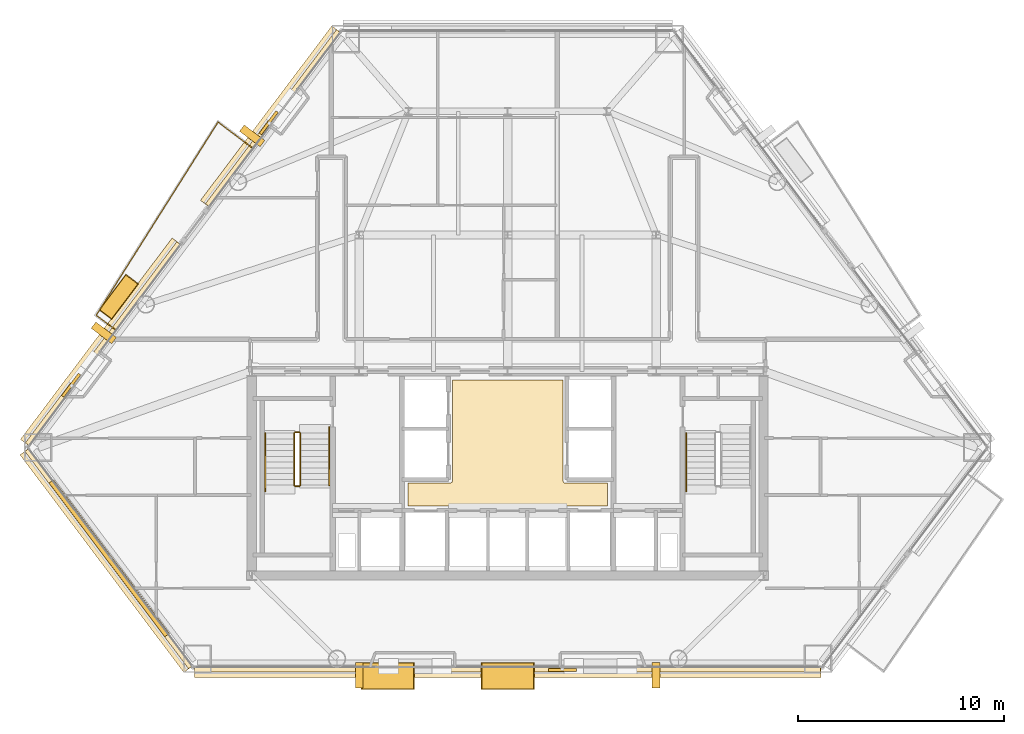
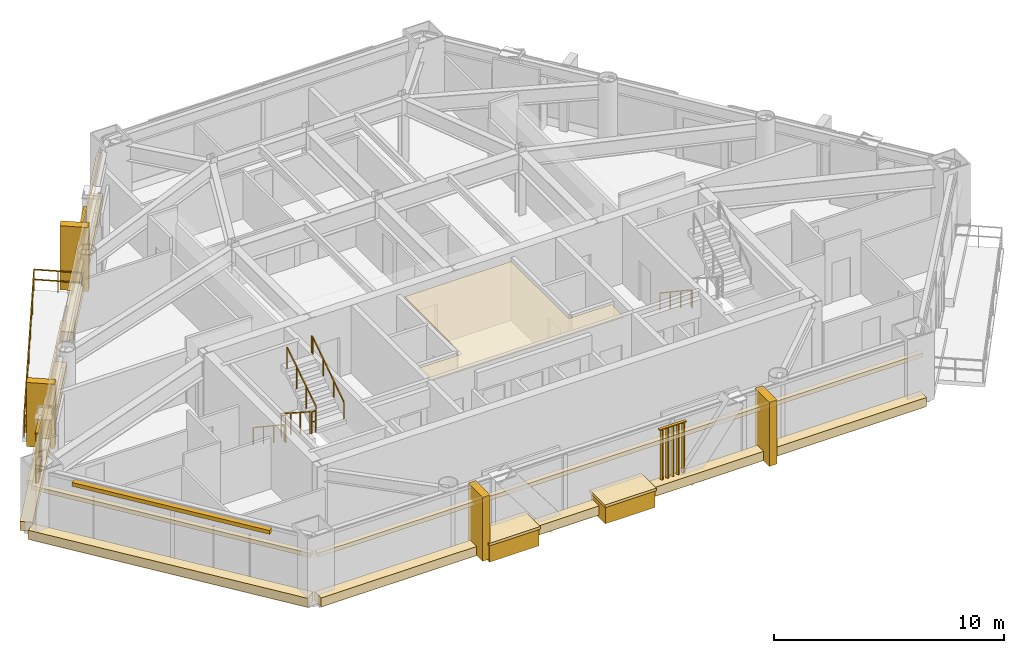
# One storey, part 10 of 11: 19 coverings, 8 railings, 4 shading devices.
"""IFC4 building model written with IfcOpenShell, lengths in metres."""

import ifcopenshell
import ifcopenshell.guid

model = None  # the IFC model being written
_history = None  # IfcOwnerHistory: only IFC2X3 demands one
_inside = {}  # id of a spatial element -> (the spatial element, [elements in it])
_under = {}  # id of a project, library or spatial element -> (it, [spatial elements below it])
_declared = {}  # id of a project -> (the project, [libraries it declares])
_typed = {}  # id of a type object -> (the type object, [elements of that type])
_made_of = {}  # id of a material, layer set ... -> (it, [elements and type objects made of it])


def new_model(schema):
    """Start an empty IFC model of exactly this schema.

    Asked for "IFC4X3", IfcOpenShell would pick the latest addendum, in which some entities
    have other attributes; the version numbers below select the first issue.
    IFC2X3 requires an IfcOwnerHistory on every rooted entity: one is made here for all.
    """
    global model, _history
    if schema == "IFC4X3":
        model = ifcopenshell.file(schema_version=(4, 3, 0, 0))
    else:
        model = ifcopenshell.file(schema=schema)
    _inside.clear()
    _under.clear()
    _declared.clear()
    _typed.clear()
    _made_of.clear()
    _history = None
    if model.schema == "IFC2X3":
        org = make("IfcOrganization", Name="unknown")
        user = make(
            "IfcPersonAndOrganization",
            ThePerson=make("IfcPerson", FamilyName="unknown"),
            TheOrganization=org,
        )
        app = make(
            "IfcApplication",
            ApplicationDeveloper=org,
            Version="unknown",
            ApplicationFullName="unknown",
            ApplicationIdentifier="unknown",
        )
        _history = make(
            "IfcOwnerHistory",
            OwningUser=user,
            OwningApplication=app,
            ChangeAction="ADDED",
            CreationDate=0,
        )
    return model


def make(cls, **values):
    """One entity of the class cls with the attributes given. An attribute that is None is left unset."""
    return model.create_entity(
        cls, **{name: value for name, value in values.items() if value is not None}
    )


def rooted(cls, **values):
    """An entity with a GlobalId (a new one), such as an element, a storey or a relation."""
    return make(cls, GlobalId=ifcopenshell.guid.new(), OwnerHistory=_history, **values)


def si_unit(unit_type, name, prefix=None):
    """IfcSIUnit, for example si_unit("LENGTHUNIT", "METRE", prefix="MILLI")."""
    return make("IfcSIUnit", UnitType=unit_type, Prefix=prefix, Name=name)


def assignment(units):
    """IfcUnitAssignment: the units of a project."""
    return None if units is None else make("IfcUnitAssignment", Units=units)


def point(xyz):
    """IfcCartesianPoint."""
    return None if xyz is None else make("IfcCartesianPoint", Coordinates=xyz)


def direction(xyz):
    """IfcDirection."""
    return None if xyz is None else make("IfcDirection", DirectionRatios=xyz)


def frame(location, z_axis=None, x_axis=None):
    """IfcAxis2Placement3D, a coordinate frame: its origin and axes. An axis left out is left unset."""
    return make(
        "IfcAxis2Placement3D",
        Location=point(location),
        Axis=direction(z_axis),
        RefDirection=direction(x_axis),
    )


def frame_2d(location, x_axis=None):
    """IfcAxis2Placement2D, a coordinate frame in the plane: its origin and x axis."""
    return make(
        "IfcAxis2Placement2D", Location=point(location), RefDirection=direction(x_axis)
    )


def origin():
    """The frame at (0, 0, 0) with its axes left unset."""
    return frame((0.0, 0.0, 0.0))


def origin_2d():
    """The frame at (0, 0) in the plane with its x axis left unset."""
    return frame_2d((0.0, 0.0))


def place(relative_to, where):
    """IfcLocalPlacement: puts the frame where relative to a parent placement (None: the world)."""
    return make(
        "IfcLocalPlacement", PlacementRelTo=relative_to, RelativePlacement=where
    )


def context(
    kind, dimensions, precision=None, world=None, true_north=None, identifier=None
):
    """IfcGeometricRepresentationContext, for example the 3D "Model" context."""
    return make(
        "IfcGeometricRepresentationContext",
        ContextIdentifier=identifier,
        ContextType=kind,
        CoordinateSpaceDimension=dimensions,
        Precision=precision,
        WorldCoordinateSystem=world,
        TrueNorth=true_north,
    )


def subcontext(parent, identifier, kind, view, scale=None):
    """IfcGeometricRepresentationSubContext, for example "Body" below "Model"."""
    return make(
        "IfcGeometricRepresentationSubContext",
        ContextIdentifier=identifier,
        ContextType=kind,
        ParentContext=parent,
        TargetScale=scale,
        TargetView=view,
    )


def project(units=None, contexts=None):
    """IfcProject with its units and contexts."""
    return rooted(
        "IfcProject",
        Name="project",
        RepresentationContexts=contexts,
        UnitsInContext=assignment(units),
    )


def spatial(cls, under=None, at=None, **own):
    """A site, building, storey or space (cls), placed at a placement, below another one or the project."""
    s = rooted(cls, ObjectPlacement=at, **own)
    if under is not None:
        _under.setdefault(under.id(), (under, []))[1].append(s)
    return s


def polyline(points):
    """IfcPolyline through the points."""
    return make("IfcPolyline", Points=[point(p) for p in points])


def profile(cls, at=None, kind="AREA", **sizes):
    """A parametric profile (cls). Its sizes go by their IFC names, for example OverallWidth=200.0."""
    return make(cls, ProfileType=kind, Position=at, **sizes)


def rectangle(**sizes):
    """IfcRectangleProfileDef."""
    return profile("IfcRectangleProfileDef", **sizes)


def outline(outer, holes=None, kind="AREA"):
    """IfcArbitraryClosedProfileDef: a profile drawn as a closed curve; with holes, ...WithVoids."""
    if holes is None:
        return make("IfcArbitraryClosedProfileDef", ProfileType=kind, OuterCurve=outer)
    return make(
        "IfcArbitraryProfileDefWithVoids",
        ProfileType=kind,
        OuterCurve=outer,
        InnerCurves=holes,
    )


def extrude(swept, where, along, depth):
    """IfcExtrudedAreaSolid: the profile swept, set in the frame where, extruded along a direction by depth."""
    return make(
        "IfcExtrudedAreaSolid",
        SweptArea=swept,
        Position=where,
        ExtrudedDirection=direction(along),
        Depth=depth,
    )


def shape(context_of_items, identifier, shape_type, items):
    """IfcShapeRepresentation: the items that make up one representation, for example the "Body"."""
    return make(
        "IfcShapeRepresentation",
        ContextOfItems=context_of_items,
        RepresentationIdentifier=identifier,
        RepresentationType=shape_type,
        Items=items,
    )


def source(mapping_origin, context_of_items, identifier, shape_type, items):
    """IfcRepresentationMap: a shape defined once, which mapped items show again and again."""
    return make(
        "IfcRepresentationMap",
        MappingOrigin=mapping_origin,
        MappedRepresentation=shape(context_of_items, identifier, shape_type, items),
    )


def transform(
    local_origin,
    x_axis=None,
    y_axis=None,
    z_axis=None,
    scale=None,
    scale2=None,
    scale3=None,
    uniform=True,
):
    """IfcCartesianTransformationOperator3D, or its non-uniform kind. x_axis, y_axis, z_axis: its Axis1, 2, 3."""
    if uniform:
        return make(
            "IfcCartesianTransformationOperator3D",
            Axis1=direction(x_axis),
            Axis2=direction(y_axis),
            LocalOrigin=point(local_origin),
            Scale=scale,
            Axis3=direction(z_axis),
        )
    return make(
        "IfcCartesianTransformationOperator3DnonUniform",
        Axis1=direction(x_axis),
        Axis2=direction(y_axis),
        LocalOrigin=point(local_origin),
        Scale=scale,
        Axis3=direction(z_axis),
        Scale2=scale2,
        Scale3=scale3,
    )


def mapped(mapping_source, mapping_target):
    """IfcMappedItem: shows the shape of a source again, moved by a transform."""
    return make(
        "IfcMappedItem", MappingSource=mapping_source, MappingTarget=mapping_target
    )


def material(Name=None, Category=None):
    """IfcMaterial."""
    return make("IfcMaterial", Name=Name, Category=Category)


def layer(
    of_material, thickness, ventilated=None, Name=None, Category=None, Priority=None
):
    """IfcMaterialLayer: one layer of a wall or slab, of a material (None: an air gap)."""
    return make(
        "IfcMaterialLayer",
        Material=of_material,
        LayerThickness=thickness,
        IsVentilated=ventilated,
        Name=Name,
        Category=Category,
        Priority=Priority,
    )


def layer_set(layers, Name=None):
    """IfcMaterialLayerSet."""
    return make("IfcMaterialLayerSet", MaterialLayers=layers, LayerSetName=Name)


def made_of(thing, what):
    """Note that an element or type object is made of a material, layer set ...; save() writes the relation."""
    if what is not None:
        _made_of.setdefault(what.id(), (what, []))[1].append(thing)
    return thing


def type_object(cls, material=None, **own):
    """A type object (cls), such as IfcWallType, which elements share."""
    return made_of(rooted(cls, **own), material)


def type_shapes(of_type, sources):
    """Give a type object the sources (RepresentationMaps) that its elements show as mapped items."""
    of_type.RepresentationMaps = sources


def element(
    cls,
    number,
    at=None,
    inside=None,
    cuts=None,
    type_object=None,
    material=None,
    context=None,
    identifier="Body",
    shape_type=None,
    held_by="IfcProductDefinitionShape",
    body=None,
    shapes=None,
    **own,
):
    """One element of the class cls, such as IfcWall. Its Tag is "e" and its number.

    at: its placement. inside: the storey or other place that contains it. cuts: it is an
    opening in that element (IfcRelVoidsElement). A single representation is given by context,
    identifier, shape_type and body (its items); several are given by shapes. held_by: the class
    of the entity that holds the representations. save() writes the other relations.
    """
    e = rooted(cls, Tag="e%d" % number, ObjectPlacement=at, **own)
    if body is not None:
        shapes = [shape(context, identifier, shape_type, body)]
    if shapes is not None:
        e.Representation = make(held_by, Representations=shapes)
    if inside is not None:
        _inside.setdefault(inside.id(), (inside, []))[1].append(e)
    if cuts is not None:
        rooted(
            "IfcRelVoidsElement", RelatingBuildingElement=cuts, RelatedOpeningElement=e
        )
    if type_object is not None:
        _typed.setdefault(type_object.id(), (type_object, []))[1].append(e)
    return made_of(e, material)


def aggregate(whole, parts):
    """IfcRelAggregates: a whole, such as a stair, and the parts it consists of."""
    return rooted("IfcRelAggregates", RelatingObject=whole, RelatedObjects=parts)


def save(model, path):
    """Write the relations noted so far, then the file.

    IfcRelAggregates (storeys below a building ...), IfcRelContainedInSpatialStructure (elements
    in a storey), IfcRelDefinesByType, IfcRelAssociatesMaterial and IfcRelDeclares: one each for
    every whole, place, type object, material and project.
    """
    for whole, parts in _under.values():
        aggregate(whole, parts)
    for where, things in _inside.values():
        rooted(
            "IfcRelContainedInSpatialStructure",
            RelatedElements=things,
            RelatingStructure=where,
        )
    for kind, things in _typed.values():
        rooted("IfcRelDefinesByType", RelatedObjects=things, RelatingType=kind)
    for what, things in _made_of.values():
        rooted("IfcRelAssociatesMaterial", RelatedObjects=things, RelatingMaterial=what)
    for by, libraries in _declared.values():
        rooted("IfcRelDeclares", RelatingContext=by, RelatedDefinitions=libraries)
    model.write(path)


model = new_model("IFC4")

# Units and contexts
model_context = context("Model", 3, precision=1e-05, world=origin(), true_north=direction((0.0, 1.0)))
body_context = subcontext(model_context, "Body", "Model", "MODEL_VIEW")
ifc_project = project(units=[si_unit("LENGTHUNIT", "METRE"), si_unit("AREAUNIT", "SQUARE_METRE"), si_unit("VOLUMEUNIT", "CUBIC_METRE"), si_unit("PLANEANGLEUNIT", "RADIAN"), si_unit("MASSUNIT", "GRAM", prefix="KILO")], contexts=[model_context])

# Site, building, storey
site_placement = place(None, origin())
site = spatial("IfcSite", under=ifc_project, at=site_placement, CompositionType="ELEMENT")
building_placement = place(site_placement, origin())
building = spatial("IfcBuilding", under=site, at=building_placement, Name="Talgorran Terracotta Tower", CompositionType="ELEMENT")
storey_placement = place(building_placement, frame((0.0, 0.0, 42.300048828125)))
storey = spatial("IfcBuildingStorey", under=building, at=storey_placement, Name="L10", CompositionType="ELEMENT", Elevation=42.300048828125)

# Coverings
ifc_material_1 = material(Name="Kiln-Fired Terracotta Ochre Ceramic", Category="masonry")
ifc_layer_1 = layer(ifc_material_1, 0.179931640625, Name="COV_BAGUETTE_TERRACOTTA_SCREEN")
ifc_layer_set_1 = layer_set([ifc_layer_1], Name="Kiln-Fired Terracotta Ochre Ceramic")
covering_type_1 = type_object("IfcCoveringType", Name="COV_BAGUETTE_TERRACOTTA_SCREEN", PredefinedType="CLADDING", material=ifc_layer_set_1)
covering_1_placement = place(storey_placement, frame((-19.33154296875, -13.274169921875, 2.41015625), z_axis=(0.0, 0.0, 1.0), x_axis=(0.601633803014, -0.798772036986, 0.0)))
element("IfcCovering", 1, at=covering_1_placement, inside=storey, type_object=covering_type_1, Name="L10 Terracotta Baguette Solar Screen Assembly F0", PredefinedType="CLADDING", context=body_context, shape_type="SweptSolid", body=[
    extrude(rectangle(XDim=13.184326171875, YDim=0.260009765625, at=origin_2d()), origin(), (0.0, 0.0, 1.0), 0.219970703125),
])
covering_2_placement = place(storey_placement, frame((0.0, -18.635498046875, 2.41015625), z_axis=(0.0, 0.0, 1.0), x_axis=(1.0, 0.0, 0.0)))
element("IfcCovering", 2, at=covering_2_placement, inside=storey, type_object=covering_type_1, Name="L10 Terracotta Baguette Solar Screen Assembly F1", PredefinedType="CLADDING", context=body_context, shape_type="SweptSolid", body=[
    extrude(rectangle(XDim=30.3466796875, YDim=0.260009765625, at=origin_2d()), origin(), (0.0, 0.0, 1.0), 0.219970703125),
])
covering_3_placement = place(storey_placement, frame((-11.37158203125, 8.057861328125, 2.41015625), z_axis=(0.0, 0.0, 1.0), x_axis=(-0.601633803014, -0.798772036986, 0.0)))
element("IfcCovering", 3, at=covering_3_placement, inside=storey, type_object=covering_type_1, Name="L10 Terracotta Baguette Solar Screen Assembly F60", PredefinedType="CLADDING", context=body_context, shape_type="SweptSolid", body=[
    extrude(rectangle(XDim=10.566650390625, YDim=0.260009765625, at=origin_2d()), origin(), (0.0, 0.0, 1.0), 0.219970703125),
])
covering_4_placement = place(storey_placement, frame((-19.603759765625, -2.8720703125, 2.41015625), z_axis=(0.0, 0.0, 1.0), x_axis=(-0.601633803014, -0.798772036986, 0.0)))
element("IfcCovering", 4, at=covering_4_placement, inside=storey, type_object=covering_type_1, Name="L10 Terracotta Baguette Solar Screen Assembly F61", PredefinedType="CLADDING", context=body_context, shape_type="SweptSolid", body=[
    extrude(rectangle(XDim=12.199462890625, YDim=0.260009765625, at=origin_2d()), origin(), (0.0, 0.0, 1.0), 0.219970703125),
])
ifc_material_2 = material(Name="Flush Moisture-Resistant Plaster")
ifc_layer_2 = layer(ifc_material_2, 0.01806640625, Name="COV_CEIL_PLASTER")
ifc_layer_set_2 = layer_set([ifc_layer_2], Name="Flush Moisture-Resistant Plaster")
covering_type_2 = type_object("IfcCoveringType", Name="COV_CEIL_PLASTER", PredefinedType="CEILING", material=ifc_layer_set_2)
covering_5_placement = place(storey_placement, frame((0.0, 0.0, 3.260009765625)))
element("IfcCovering", 5, at=covering_5_placement, inside=storey, type_object=covering_type_2, Name="CEIL-L10-1", PredefinedType="CEILING", context=body_context, shape_type="SweptSolid", body=[
    extrude(outline(polyline([(-4.830078125, -9.6201171875), (-2.800048828125, -9.6201171875), (-2.7880859375, -9.619384765625), (-2.776611328125, -9.61767578125), (-2.76513671875, -9.61474609375), (-2.754150390625, -9.61083984375), (-2.743408203125, -9.605712890625), (-2.7333984375, -9.599853515625), (-2.723876953125, -9.5927734375), (-2.715087890625, -9.5849609375), (-2.707275390625, -9.576171875), (-2.7001953125, -9.566650390625), (-2.694091796875, -9.556640625), (-2.689208984375, -9.5458984375), (-2.685302734375, -9.534912109375), (-2.682373046875, -9.5234375), (-2.6806640625, -9.51171875), (-2.679931640625, -9.5), (-2.679931640625, -4.6201171875), (2.679931640625, -4.6201171875), (2.679931640625, -9.5), (2.6806640625, -9.51171875), (2.682373046875, -9.5234375), (2.685302734375, -9.534912109375), (2.689208984375, -9.5458984375), (2.694091796875, -9.556640625), (2.7001953125, -9.566650390625), (2.707275390625, -9.576171875), (2.715087890625, -9.5849609375), (2.723876953125, -9.5927734375), (2.7333984375, -9.599853515625), (2.743408203125, -9.605712890625), (2.754150390625, -9.61083984375), (2.76513671875, -9.61474609375), (2.776611328125, -9.61767578125), (2.7880859375, -9.619384765625), (2.800048828125, -9.6201171875), (4.830078125, -9.6201171875), (4.830078125, -10.72998046875), (-4.830078125, -10.72998046875), (-4.830078125, -9.6201171875)])), origin(), (0.0, 0.0, 1.0), 0.02001953125),
])
ifc_material_3 = material(Name="Honed Limestone and Terracotta Planter", Category="masonry")
ifc_layer_3 = layer(ifc_material_3, 0.1201171875, Name="COV_PLANTER_BOX")
ifc_layer_set_3 = layer_set([ifc_layer_3], Name="Honed Limestone and Terracotta Planter")
covering_type_3 = type_object("IfcCoveringType", Name="COV_PLANTER_BOX", PredefinedType="CLADDING", material=ifc_layer_set_3)
for number, where, z_axis, x_axis, name in (
    (6, (-5.815185546875, -18.9755859375, -0.179931640625), (0.0, 0.0, 1.0), (1.0, 0.0, 0.0), "L10 Staggered South Facade Planter Box 1"),
    (7, (0.0, -18.9755859375, -0.179931640625), (0.0, 0.0, 1.0), (1.0, 0.0, 0.0), "L10 Staggered South Facade Planter Box 2"),
):
    element("IfcCovering", number, at=place(storey_placement, frame(where, z_axis=z_axis, x_axis=x_axis)), inside=storey, type_object=covering_type_3, Name=name, PredefinedType="CLADDING", context=body_context, shape_type="SweptSolid", body=[
        extrude(rectangle(XDim=2.5, YDim=1.25, at=origin_2d()), origin(), (0.0, 0.0, 1.0), 0.919921875),
    ])
covering_6_placement = place(storey_placement, frame((-18.851806640625, -0.593994140625, -0.02001953125), z_axis=(0.0, 0.0, 1.0), x_axis=(-0.601633803014, -0.798772036986, 0.0)))
element("IfcCovering", 8, at=covering_6_placement, inside=storey, type_object=covering_type_3, Name="L10 Staggered Balcony Planter Box BAL-NW", PredefinedType="CLADDING", context=body_context, shape_type="SweptSolid", body=[
    extrude(rectangle(XDim=2.10009765625, YDim=0.719970703125, at=origin_2d()), origin(), (0.0, 0.0, 1.0), 0.860107421875),
])
ifc_material_4 = material(Name="Kiln-Fired Terracotta Planter Rim", Category="masonry")
ifc_layer_4 = layer(ifc_material_4, 0.10009765625, Name="COV_PLANTER_RIM")
ifc_layer_set_4 = layer_set([ifc_layer_4], Name="Kiln-Fired Terracotta Planter Rim")
covering_type_4 = type_object("IfcCoveringType", Name="COV_PLANTER_RIM", PredefinedType="CLADDING", material=ifc_layer_set_4)
for number, where, z_axis, x_axis, name in (
    (9, (-5.815185546875, -18.9755859375, 0.7099609375), (0.0, 0.0, 1.0), (1.0, 0.0, 0.0), "L10 South Planter Terracotta Rim 1"),
    (10, (0.0, -18.9755859375, 0.7099609375), (0.0, 0.0, 1.0), (1.0, 0.0, 0.0), "L10 South Planter Terracotta Rim 2"),
):
    element("IfcCovering", number, at=place(storey_placement, frame(where, z_axis=z_axis, x_axis=x_axis)), inside=storey, type_object=covering_type_4, Name=name, PredefinedType="CLADDING", context=body_context, shape_type="SweptSolid", body=[
        extrude(rectangle(XDim=2.580078125, YDim=1.320068359375, at=origin_2d()), origin(), (0.0, 0.0, 1.0), 0.139892578125),
    ])
covering_7_placement = place(storey_placement, frame((-18.851806640625, -0.593994140625, 0.7998046875), z_axis=(0.0, 0.0, 1.0), x_axis=(-0.601633803014, -0.798772036986, 0.0)))
element("IfcCovering", 11, at=covering_7_placement, inside=storey, type_object=covering_type_4, Name="L10 Balcony Planter Terracotta Rim BAL-NW", PredefinedType="CLADDING", context=body_context, shape_type="SweptSolid", body=[
    extrude(rectangle(XDim=2.179931640625, YDim=0.780029296875, at=origin_2d()), origin(), (0.0, 0.0, 1.0), 0.1201171875),
])
ifc_material_5 = material(Name="Honed Limestone Cladding", Category="masonry")
ifc_layer_5 = layer(ifc_material_5, 0.094970703125, Name="COV_PORTAL_LIME")
ifc_layer_set_5 = layer_set([ifc_layer_5], Name="Honed Limestone Cladding")
covering_type_5 = type_object("IfcCoveringType", Name="COV_PORTAL_LIME", PredefinedType="CLADDING", material=ifc_layer_set_5)
covering_8_placement = place(storey_placement, frame((-19.443359375, -13.3583984375, -0.0400390625), z_axis=(0.0, 0.0, 1.0), x_axis=(0.601633803014, -0.798772036986, 0.0)))
element("IfcCovering", 12, at=covering_8_placement, inside=storey, type_object=covering_type_5, Name="L10 Striped Postmodern Portal Cladding Band F0", PredefinedType="CLADDING", context=body_context, shape_type="SweptSolid", body=[
    extrude(rectangle(XDim=13.204345703125, YDim=0.56005859375, at=origin_2d()), origin(), (0.0, 0.0, 1.0), 0.47998046875),
])
covering_9_placement = place(storey_placement, frame((0.0, -18.775634765625, -0.0400390625), z_axis=(0.0, 0.0, 1.0), x_axis=(1.0, 0.0, 0.0)))
element("IfcCovering", 13, at=covering_9_placement, inside=storey, type_object=covering_type_5, Name="L10 Striped Postmodern Portal Cladding Band F1", PredefinedType="CLADDING", context=body_context, shape_type="SweptSolid", body=[
    extrude(rectangle(XDim=30.36669921875, YDim=0.56005859375, at=origin_2d()), origin(), (0.0, 0.0, 1.0), 0.47998046875),
])
covering_10_placement = place(storey_placement, frame((-11.4833984375, 8.14208984375, -0.0400390625), z_axis=(0.0, 0.0, 1.0), x_axis=(-0.601633803014, -0.798772036986, 0.0)))
element("IfcCovering", 14, at=covering_10_placement, inside=storey, type_object=covering_type_5, Name="L10 Striped Postmodern Portal Cladding Band F60", PredefinedType="CLADDING", context=body_context, shape_type="SweptSolid", body=[
    extrude(rectangle(XDim=10.586669921875, YDim=0.56005859375, at=origin_2d()), origin(), (0.0, 0.0, 1.0), 0.47998046875),
])
covering_11_placement = place(storey_placement, frame((-19.715576171875, -2.787841796875, -0.0400390625), z_axis=(0.0, 0.0, 1.0), x_axis=(-0.601633803014, -0.798772036986, 0.0)))
element("IfcCovering", 15, at=covering_11_placement, inside=storey, type_object=covering_type_5, Name="L10 Striped Postmodern Portal Cladding Band F61", PredefinedType="CLADDING", context=body_context, shape_type="SweptSolid", body=[
    extrude(rectangle(XDim=12.219482421875, YDim=0.56005859375, at=origin_2d()), origin(), (0.0, 0.0, 1.0), 0.47998046875),
])
for number, where, z_axis, x_axis, name in (
    (16, (7.1923828125, -18.935546875, -0.050048828125), (0.0, 0.0, 1.0), (1.0, 0.0, 0.0), "L10 White Striped Portal Fin F1-2"),
    (17, (-19.578369140625, -2.339599609375, -0.050048828125), (0.0, 0.0, 1.0), (-0.601633803014, -0.798772036986, 0.0), "L10 White Striped Portal Fin F5-2"),
):
    element("IfcCovering", number, at=place(storey_placement, frame(where, z_axis=z_axis, x_axis=x_axis)), inside=storey, type_object=covering_type_5, Name=name, PredefinedType="CLADDING", context=body_context, shape_type="SweptSolid", body=[
        extrude(rectangle(XDim=0.3798828125, YDim=1.25, at=origin_2d()), origin(), (0.0, 0.0, 1.0), 3.39990234375),
    ])
ifc_material_6 = material(Name="Kiln-Fired Terracotta Cladding", Category="masonry")
ifc_layer_6 = layer(ifc_material_6, 0.090087890625, Name="COV_PORTAL_TERRA")
ifc_layer_set_6 = layer_set([ifc_layer_6], Name="Kiln-Fired Terracotta Cladding")
covering_type_6 = type_object("IfcCoveringType", Name="COV_PORTAL_TERRA", PredefinedType="CLADDING", material=ifc_layer_set_6)
for number, where, z_axis, x_axis, name in (
    (18, (-7.1923828125, -18.935546875, -0.050048828125), (0.0, 0.0, 1.0), (1.0, 0.0, 0.0), "L10 Terracotta Striped Portal Fin F1-1"),
    (19, (-12.3857421875, 7.2099609375, -0.050048828125), (0.0, 0.0, 1.0), (-0.601633803014, -0.798772036986, 0.0), "L10 Terracotta Striped Portal Fin F5-1"),
):
    element("IfcCovering", number, at=place(storey_placement, frame(where, z_axis=z_axis, x_axis=x_axis)), inside=storey, type_object=covering_type_6, Name=name, PredefinedType="CLADDING", context=body_context, shape_type="SweptSolid", body=[
        extrude(rectangle(XDim=0.3798828125, YDim=1.25, at=origin_2d()), origin(), (0.0, 0.0, 1.0), 3.39990234375),
    ])

# Railings
ifc_material_7 = material(Name="Laminated Glass and Stainless Steel 316", Category="steel")
railing_type_1 = type_object("IfcRailingType", Name="RL_BALCONY_1150", PredefinedType="BALUSTRADE", material=ifc_material_7)
railing_1_placement = place(storey_placement, frame((-12.35986328125, 6.612548828125, 0.0)))
element("IfcRailing", 20, at=railing_1_placement, inside=storey, type_object=railing_type_1, Name="RL-L10-BAL-BAL-NW", PredefinedType="BALUSTRADE", context=body_context, shape_type="SweptSolid", body=[
    extrude(rectangle(XDim=0.048095703125, YDim=0.048095703125, at=origin_2d()), frame((0.0, 0.0, 1.1259765625), z_axis=(-0.798772307241, 0.601633444204, 0.0), x_axis=(-0.601633444204, -0.798772307241, 0.0)), (0.0, 0.0, 1.0), 2.102783203125),
    extrude(rectangle(XDim=0.048095703125, YDim=0.048095703125, at=origin_2d()), frame((0.0, 0.0, 0.597900390625), z_axis=(-0.798772307241, 0.601633444204, 0.0), x_axis=(-0.601633444204, -0.798772307241, 0.0)), (0.0, 0.0, 1.0), 2.102783203125),
    extrude(rectangle(XDim=0.048095703125, YDim=0.048095703125, at=origin_2d()), frame((-1.6796875, 1.26513671875, 1.1259765625), z_axis=(-0.533509156373, -0.84579428945, 0.0), x_axis=(0.84579428945, -0.533509156373, 0.0)), (0.0, 0.0, 1.0), 11.070068359375),
    extrude(rectangle(XDim=0.048095703125, YDim=0.048095703125, at=origin_2d()), frame((-1.6796875, 1.26513671875, 0.597900390625), z_axis=(-0.533509156373, -0.84579428945, 0.0), x_axis=(0.84579428945, -0.533509156373, 0.0)), (0.0, 0.0, 1.0), 11.070068359375),
    extrude(rectangle(XDim=0.048095703125, YDim=0.048095703125, at=origin_2d()), frame((-7.585693359375, -8.097900390625, 1.1259765625), z_axis=(0.798789397419, -0.601610753371, 0.0), x_axis=(0.601610753371, 0.798789397419, 0.0)), (0.0, 0.0, 1.0), 1.1875),
    extrude(rectangle(XDim=0.048095703125, YDim=0.048095703125, at=origin_2d()), frame((-7.585693359375, -8.097900390625, 0.597900390625), z_axis=(0.798789397419, -0.601610753371, 0.0), x_axis=(0.601610753371, 0.798789397419, 0.0)), (0.0, 0.0, 1.0), 1.1875),
    extrude(rectangle(XDim=0.0419921875, YDim=0.0419921875, at=origin_2d()), origin(), (0.0, 0.0, 1.0), 1.101806640625),
    extrude(rectangle(XDim=0.0419921875, YDim=0.0419921875, at=origin_2d()), frame((-0.83984375, 0.632568359375, 0.0)), (0.0, 0.0, 1.0), 1.101806640625),
    extrude(rectangle(XDim=0.0419921875, YDim=0.0419921875, at=origin_2d()), frame((-1.6796875, 1.26513671875, 0.0)), (0.0, 0.0, 1.0), 1.101806640625),
    extrude(rectangle(XDim=0.0419921875, YDim=0.0419921875, at=origin_2d()), frame((-2.6640625, -0.29541015625, 0.0)), (0.0, 0.0, 1.0), 1.101806640625),
    extrude(rectangle(XDim=0.0419921875, YDim=0.0419921875, at=origin_2d()), frame((-3.6484375, -1.85595703125, 0.0)), (0.0, 0.0, 1.0), 1.101806640625),
    extrude(rectangle(XDim=0.0419921875, YDim=0.0419921875, at=origin_2d()), frame((-4.6328125, -3.41650390625, 0.0)), (0.0, 0.0, 1.0), 1.101806640625),
    extrude(rectangle(XDim=0.0419921875, YDim=0.0419921875, at=origin_2d()), frame((-5.616943359375, -4.976806640625, 0.0)), (0.0, 0.0, 1.0), 1.101806640625),
    extrude(rectangle(XDim=0.0419921875, YDim=0.0419921875, at=origin_2d()), frame((-6.601318359375, -6.537353515625, 0.0)), (0.0, 0.0, 1.0), 1.101806640625),
    extrude(rectangle(XDim=0.0419921875, YDim=0.0419921875, at=origin_2d()), frame((-7.585693359375, -8.097900390625, 0.0)), (0.0, 0.0, 1.0), 1.101806640625),
    extrude(rectangle(XDim=0.0419921875, YDim=0.0419921875, at=origin_2d()), frame((-6.63720703125, -8.812255859375, 0.0)), (0.0, 0.0, 1.0), 1.101806640625),
])
ifc_material_8 = material(Name="Steel S355 (300PLUS)", Category="steel")
railing_type_2 = type_object("IfcRailingType", Name="RL_HANDRAIL_920", PredefinedType="HANDRAIL", material=ifc_material_8)
railing_2_placement = place(storey_placement, frame((-11.75, -7.199951171875, 0.179931640625)))
element("IfcRailing", 21, at=railing_2_placement, inside=storey, type_object=railing_type_2, Name="L10 ST-01 stair handrail 1", PredefinedType="HANDRAIL", context=body_context, shape_type="SweptSolid", body=[
    extrude(rectangle(XDim=0.048095703125, YDim=0.048095703125, at=origin_2d()), frame((0.0, 0.0, 0.89599609375), z_axis=(0.0, -0.832038719335, 0.554717558338), x_axis=(1.0, 0.0, 0.0)), (0.0, 0.0, 1.0), 3.244873046875),
    extrude(rectangle(XDim=0.048095703125, YDim=0.048095703125, at=origin_2d()), frame((0.0, -2.699951171875, 2.69580078125), z_axis=(0.0, -1.0, 0.0), x_axis=(1.0, 0.0, 0.0)), (0.0, 0.0, 1.0), 0.1201171875),
    extrude(rectangle(XDim=0.0419921875, YDim=0.0419921875, at=origin_2d()), origin(), (0.0, 0.0, 1.0), 0.871826171875),
    extrude(rectangle(XDim=0.0419921875, YDim=0.0419921875, at=origin_2d()), frame((0.0, -0.89990234375, 0.60009765625)), (0.0, 0.0, 1.0), 0.871826171875),
    extrude(rectangle(XDim=0.0419921875, YDim=0.0419921875, at=origin_2d()), frame((0.0, -1.800048828125, 1.199951171875)), (0.0, 0.0, 1.0), 0.871826171875),
    extrude(rectangle(XDim=0.0419921875, YDim=0.0419921875, at=origin_2d()), frame((0.0, -2.699951171875, 1.800048828125)), (0.0, 0.0, 1.0), 0.871826171875),
    extrude(rectangle(XDim=0.0419921875, YDim=0.0419921875, at=origin_2d()), frame((0.0, -2.820068359375, 1.800048828125)), (0.0, 0.0, 1.0), 0.871826171875),
])
railing_3_placement = place(storey_placement, frame((-8.64990234375, -9.719970703125, 1.97998046875)))
element("IfcRailing", 22, at=railing_3_placement, inside=storey, type_object=railing_type_2, Name="L10 ST-01 stair handrail 2", PredefinedType="HANDRAIL", context=body_context, shape_type="SweptSolid", body=[
    extrude(rectangle(XDim=0.048095703125, YDim=0.048095703125, at=origin_2d()), frame((0.0, 0.0, 0.89599609375), z_axis=(0.0, 0.832038719335, 0.554717558338), x_axis=(-1.0, 0.0, 0.0)), (0.0, 0.0, 1.0), 3.244873046875),
    extrude(rectangle(XDim=0.048095703125, YDim=0.048095703125, at=origin_2d()), frame((0.0, 2.699951171875, 2.69580078125), z_axis=(0.0, 1.0, 0.0), x_axis=(-1.0, 0.0, 0.0)), (0.0, 0.0, 1.0), 0.1201171875),
    extrude(rectangle(XDim=0.0419921875, YDim=0.0419921875, at=origin_2d()), origin(), (0.0, 0.0, 1.0), 0.871826171875),
    extrude(rectangle(XDim=0.0419921875, YDim=0.0419921875, at=origin_2d()), frame((0.0, 0.89990234375, 0.60009765625)), (0.0, 0.0, 1.0), 0.871826171875),
    extrude(rectangle(XDim=0.0419921875, YDim=0.0419921875, at=origin_2d()), frame((0.0, 1.800048828125, 1.199951171875)), (0.0, 0.0, 1.0), 0.871826171875),
    extrude(rectangle(XDim=0.0419921875, YDim=0.0419921875, at=origin_2d()), frame((0.0, 2.699951171875, 1.800048828125)), (0.0, 0.0, 1.0), 0.871826171875),
    extrude(rectangle(XDim=0.0419921875, YDim=0.0419921875, at=origin_2d()), frame((0.0, 2.820068359375, 1.800048828125)), (0.0, 0.0, 1.0), 0.871826171875),
])
railing_4_placement = place(storey_placement, frame((8.64990234375, -7.199951171875, 0.179931640625)))
element("IfcRailing", 23, at=railing_4_placement, inside=storey, type_object=railing_type_2, Name="L10 ST-02 stair handrail 1", PredefinedType="HANDRAIL", context=body_context, shape_type="SweptSolid", body=[
    extrude(rectangle(XDim=0.048095703125, YDim=0.048095703125, at=origin_2d()), frame((0.0, 0.0, 0.89599609375), z_axis=(0.0, -0.832038719335, 0.554717558338), x_axis=(1.0, 0.0, 0.0)), (0.0, 0.0, 1.0), 3.244873046875),
    extrude(rectangle(XDim=0.048095703125, YDim=0.048095703125, at=origin_2d()), frame((0.0, -2.699951171875, 2.69580078125), z_axis=(0.0, -1.0, 0.0), x_axis=(1.0, 0.0, 0.0)), (0.0, 0.0, 1.0), 0.1201171875),
    extrude(rectangle(XDim=0.0419921875, YDim=0.0419921875, at=origin_2d()), origin(), (0.0, 0.0, 1.0), 0.871826171875),
    extrude(rectangle(XDim=0.0419921875, YDim=0.0419921875, at=origin_2d()), frame((0.0, -0.89990234375, 0.60009765625)), (0.0, 0.0, 1.0), 0.871826171875),
    extrude(rectangle(XDim=0.0419921875, YDim=0.0419921875, at=origin_2d()), frame((0.0, -1.800048828125, 1.199951171875)), (0.0, 0.0, 1.0), 0.871826171875),
    extrude(rectangle(XDim=0.0419921875, YDim=0.0419921875, at=origin_2d()), frame((0.0, -2.699951171875, 1.800048828125)), (0.0, 0.0, 1.0), 0.871826171875),
    extrude(rectangle(XDim=0.0419921875, YDim=0.0419921875, at=origin_2d()), frame((0.0, -2.820068359375, 1.800048828125)), (0.0, 0.0, 1.0), 0.871826171875),
])
railing_type_3 = type_object("IfcRailingType", Name="RL_STAIR_GUARD", PredefinedType="GUARDRAIL", material=ifc_material_8)
railing_5_placement = place(storey_placement, frame((-10.35009765625, -7.199951171875, 0.179931640625)))
element("IfcRailing", 24, at=railing_5_placement, inside=storey, type_object=railing_type_3, Name="L10 ST-01 stair guard 1", PredefinedType="GUARDRAIL", context=body_context, shape_type="SweptSolid", body=[
    extrude(rectangle(XDim=0.048095703125, YDim=0.048095703125, at=origin_2d()), frame((0.0, 0.0, 1.15576171875), z_axis=(0.0, -0.841162588446, 0.540782303519), x_axis=(1.0, 0.0, 0.0)), (0.0, 0.0, 1.0), 2.995849609375),
    extrude(rectangle(XDim=0.0419921875, YDim=0.0419921875, at=origin_2d()), origin(), (0.0, 0.0, 1.0), 1.1318359375),
    extrude(rectangle(XDim=0.0419921875, YDim=0.0419921875, at=origin_2d()), frame((0.0, -0.840087890625, 0.5400390625)), (0.0, 0.0, 1.0), 1.1318359375),
    extrude(rectangle(XDim=0.0419921875, YDim=0.0419921875, at=origin_2d()), frame((0.0, -1.679931640625, 1.080078125)), (0.0, 0.0, 1.0), 1.1318359375),
    extrude(rectangle(XDim=0.0419921875, YDim=0.0419921875, at=origin_2d()), frame((0.0, -2.52001953125, 1.6201171875)), (0.0, 0.0, 1.0), 1.1318359375),
])
railing_6_placement = place(storey_placement, frame((-10.300048828125, -9.77001953125, 1.800048828125)))
element("IfcRailing", 25, at=railing_6_placement, inside=storey, type_object=railing_type_3, Name="L10 ST-01 stair guard 2", PredefinedType="GUARDRAIL", context=body_context, shape_type="SweptSolid", body=[
    extrude(rectangle(XDim=0.048095703125, YDim=0.048095703125, at=origin_2d()), frame((0.0, 0.0, 1.15576171875), z_axis=(1.0, 0.0, 0.0), x_axis=(0.0, 1.0, 0.0)), (0.0, 0.0, 1.0), 0.199951171875),
    extrude(rectangle(XDim=0.048095703125, YDim=0.048095703125, at=origin_2d()), frame((0.0, 0.0, 0.613525390625), z_axis=(1.0, 0.0, 0.0), x_axis=(0.0, 1.0, 0.0)), (0.0, 0.0, 1.0), 0.199951171875),
    extrude(rectangle(XDim=0.0419921875, YDim=0.0419921875, at=origin_2d()), origin(), (0.0, 0.0, 1.0), 1.1318359375),
    extrude(rectangle(XDim=0.0419921875, YDim=0.0419921875, at=origin_2d()), frame((0.199951171875, 0.0, 0.0)), (0.0, 0.0, 1.0), 1.1318359375),
])
railing_7_placement = place(storey_placement, frame((-10.050048828125, -9.719970703125, 1.97998046875)))
element("IfcRailing", 26, at=railing_7_placement, inside=storey, type_object=railing_type_3, Name="L10 ST-01 stair guard 3", PredefinedType="GUARDRAIL", context=body_context, shape_type="SweptSolid", body=[
    extrude(rectangle(XDim=0.048095703125, YDim=0.048095703125, at=origin_2d()), frame((0.0, 0.0, 1.15576171875), z_axis=(0.0, 0.841199657755, 0.540724639528), x_axis=(-1.0, 0.0, 0.0)), (0.0, 0.0, 1.0), 2.995849609375),
    extrude(rectangle(XDim=0.0419921875, YDim=0.0419921875, at=origin_2d()), origin(), (0.0, 0.0, 1.0), 1.1318359375),
    extrude(rectangle(XDim=0.0419921875, YDim=0.0419921875, at=origin_2d()), frame((0.0, 0.840087890625, 0.5400390625)), (0.0, 0.0, 1.0), 1.1318359375),
    extrude(rectangle(XDim=0.0419921875, YDim=0.0419921875, at=origin_2d()), frame((0.0, 1.679931640625, 1.079833984375)), (0.0, 0.0, 1.0), 1.1318359375),
    extrude(rectangle(XDim=0.0419921875, YDim=0.0419921875, at=origin_2d()), frame((0.0, 2.52001953125, 1.619873046875)), (0.0, 0.0, 1.0), 1.1318359375),
])
railing_8_placement = place(storey_placement, frame((-10.300048828125, -7.14990234375, 0.0)))
element("IfcRailing", 27, at=railing_8_placement, inside=storey, type_object=railing_type_3, Name="L10 ST-01 stair guard 4", PredefinedType="GUARDRAIL", context=body_context, shape_type="SweptSolid", body=[
    extrude(rectangle(XDim=0.048095703125, YDim=0.048095703125, at=origin_2d()), frame((0.0, 0.0, 1.15576171875), z_axis=(1.0, 0.0, 0.0), x_axis=(0.0, 1.0, 0.0)), (0.0, 0.0, 1.0), 0.199951171875),
    extrude(rectangle(XDim=0.048095703125, YDim=0.048095703125, at=origin_2d()), frame((0.0, 0.0, 0.613525390625), z_axis=(1.0, 0.0, 0.0), x_axis=(0.0, 1.0, 0.0)), (0.0, 0.0, 1.0), 0.199951171875),
    extrude(rectangle(XDim=0.0419921875, YDim=0.0419921875, at=origin_2d()), origin(), (0.0, 0.0, 1.0), 1.1318359375),
    extrude(rectangle(XDim=0.0419921875, YDim=0.0419921875, at=origin_2d()), frame((0.199951171875, 0.0, 0.0)), (0.0, 0.0, 1.0), 1.1318359375),
])

# Shading devices
ifc_material_9 = material(Name="Kiln-Fired Terracotta", Category="masonry")
ifc_layer_7 = layer(ifc_material_9, 0.139892578125, Name="SHD_BAGUETTE_TERRA")
ifc_layer_set_7 = layer_set([ifc_layer_7], Name="Kiln-Fired Terracotta")
shading_device_type_1 = type_object("IfcShadingDeviceType", Name="SHD_BAGUETTE_TERRA", PredefinedType="JALOUSIE", material=ifc_layer_set_7)
shared_shape_1 = source(origin(), body_context, "Body", "SweptSolid", [
    extrude(rectangle(XDim=1.35009765625, YDim=0.139892578125, at=origin_2d()), origin(), (0.0, 0.0, 1.0), 0.054931640625),
    extrude(rectangle(XDim=1.35009765625, YDim=0.139892578125, at=origin_2d()), frame((0.0, 0.0, 2.7451171875)), (0.0, 0.0, 1.0), 0.054931640625),
    extrude(rectangle(XDim=0.074951171875, YDim=0.139892578125, at=origin_2d()), frame((-0.53515625, 0.0, 0.054931640625), z_axis=(0.0, 0.0, 1.0), x_axis=(0.866025403784, 0.5, 0.0)), (0.0, 0.0, 1.0), 2.690185546875),
    extrude(rectangle(XDim=0.074951171875, YDim=0.139892578125, at=origin_2d()), frame((-0.267578125, 0.0, 0.054931640625), z_axis=(0.0, 0.0, 1.0), x_axis=(0.866025403784, 0.5, 0.0)), (0.0, 0.0, 1.0), 2.690185546875),
    extrude(rectangle(XDim=0.074951171875, YDim=0.139892578125, at=origin_2d()), frame((0.0, 0.0, 0.054931640625), z_axis=(0.0, 0.0, 1.0), x_axis=(0.866025403784, 0.5, 0.0)), (0.0, 0.0, 1.0), 2.690185546875),
    extrude(rectangle(XDim=0.074951171875, YDim=0.139892578125, at=origin_2d()), frame((0.267578125, 0.0, 0.054931640625), z_axis=(0.0, 0.0, 1.0), x_axis=(0.866025403784, 0.5, 0.0)), (0.0, 0.0, 1.0), 2.690185546875),
    extrude(rectangle(XDim=0.074951171875, YDim=0.139892578125, at=origin_2d()), frame((0.53515625, 0.0, 0.054931640625), z_axis=(0.0, 0.0, 1.0), x_axis=(0.866025403784, 0.5, 0.0)), (0.0, 0.0, 1.0), 2.690185546875),
])
type_shapes(shading_device_type_1, [shared_shape_1])
for number, where, z_axis, x_axis, name in (
    (28, (2.6513671875, -18.675537109375, 0.35009765625), (0.0, 0.0, 1.0), (1.0, 0.0, 0.0), "BAG-L10-F1"),
    (29, (-11.58154296875, 7.845458984375, 0.35009765625), (0.0, 0.0, 1.0), (-0.601633803014, -0.798772036986, 0.0), "BAG-L10-F60"),
    (30, (-21.161865234375, -4.87451171875, 0.35009765625), (0.0, 0.0, 1.0), (-0.601633803014, -0.798772036986, 0.0), "BAG-L10-F61"),
):
    element("IfcShadingDevice", number, at=place(storey_placement, frame(where, z_axis=z_axis, x_axis=x_axis)), inside=storey, type_object=shading_device_type_1, Name=name, PredefinedType="JALOUSIE", context=body_context, shape_type="MappedRepresentation", body=[
        mapped(shared_shape_1, transform((0.0, 0.0, 0.0), scale=1.0)),
    ])
ifc_layer_8 = layer(ifc_material_9, 0.280029296875, Name="SHD_SUNSHADE_TERRA")
ifc_layer_set_8 = layer_set([ifc_layer_8], Name="Kiln-Fired Terracotta")
shading_device_type_2 = type_object("IfcShadingDeviceType", Name="SHD_SUNSHADE_TERRA", PredefinedType="AWNING", material=ifc_layer_set_8)
shared_shape_2 = source(origin(), body_context, "Body", "SweptSolid", [
    extrude(rectangle(XDim=9.3271484375, YDim=0.280029296875, at=origin_2d()), origin(), (0.0, 0.0, 1.0), 0.199951171875),
])
type_shapes(shading_device_type_2, [shared_shape_2])
shading_device_placement = place(storey_placement, frame((-19.3154296875, -13.26220703125, 3.10986328125), z_axis=(0.0, 0.0, 1.0), x_axis=(0.601633803014, -0.798772036986, 0.0)))
element("IfcShadingDevice", 31, at=shading_device_placement, inside=storey, type_object=shading_device_type_2, Name="SHD-BROW-L10-F0", PredefinedType="AWNING", context=body_context, shape_type="MappedRepresentation", body=[
    mapped(shared_shape_2, transform((0.0, 0.0, 0.0), scale=1.0)),
])

save(model, "model.ifc")
